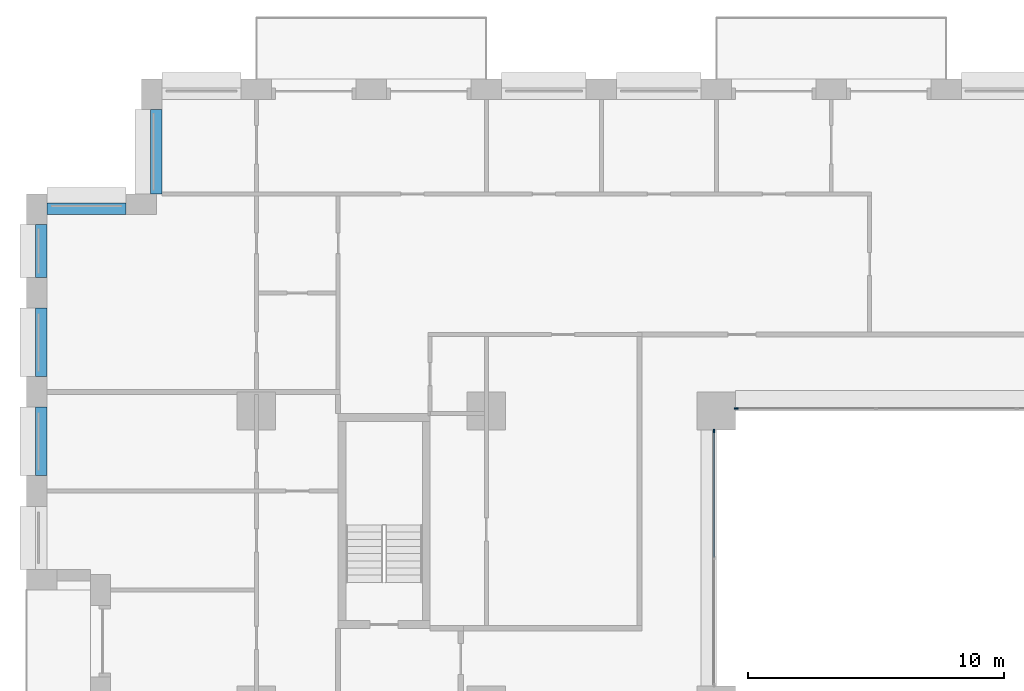
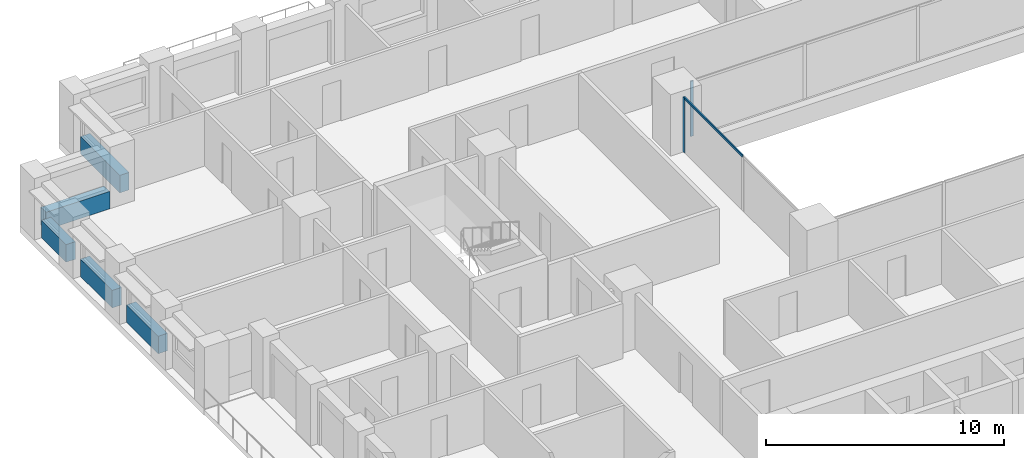
# One storey, part 5 of 20: 5 beams, 3 members, 2 elements without a shape of their own.
"""IFC4 building model written with IfcOpenShell, lengths in metres."""

from ifc_helpers import new_model, si_unit, direction, frame, origin, origin_2d, place, context, subcontext, project, spatial, rectangle, extrude, material, layer, layer_set, material_profile, profile_set, type_object, element, aggregate, save


model = new_model("IFC4")

# Units and contexts
model_context = context("Model", 3, precision=1e-05, world=origin(), true_north=direction((0.0, 1.0)))
body_context = subcontext(model_context, "Body", "Model", "MODEL_VIEW")
ifc_project = project(units=[si_unit("LENGTHUNIT", "METRE"), si_unit("AREAUNIT", "SQUARE_METRE"), si_unit("VOLUMEUNIT", "CUBIC_METRE"), si_unit("PLANEANGLEUNIT", "RADIAN"), si_unit("MASSUNIT", "GRAM", prefix="KILO")], contexts=[model_context])

# Site, building, storey
site_placement = place(None, origin())
site = spatial("IfcSite", under=ifc_project, at=site_placement, CompositionType="ELEMENT")
building_placement = place(site_placement, origin())
building = spatial("IfcBuilding", under=site, at=building_placement, Name="Brigalow Station Residences", CompositionType="ELEMENT")
storey_placement = place(building_placement, frame((0.0, 0.0, 44.699951171875)))
storey = spatial("IfcBuildingStorey", under=building, at=storey_placement, Name="L12", CompositionType="ELEMENT", Elevation=44.699951171875)

# Curtain wall, member
ifc_material_1 = material(Name="Aluminium", Category="aluminium")
ifc_layer = layer(ifc_material_1, 0.14990234375)
ifc_layer_set = layer_set([ifc_layer], Name="ATRIUM FIRE-RATED GLAZING CURTAIN WALL")
curtain_wall_type = type_object("IfcCurtainWallType", Name="ATRIUM FIRE-RATED GLAZING CURTAIN WALL", PredefinedType="NOTDEFINED", material=ifc_layer_set)
curtain_wall_1_placement = place(storey_placement, origin())
curtain_wall_1 = element("IfcCurtainWall", 1, at=curtain_wall_1_placement, inside=storey, type_object=curtain_wall_type, Name="L12/cw/atrium-N", PredefinedType="NOTDEFINED")
ifc_material_2 = material(Name="Aluminium", Category="aluminium")
ifc_material_profile_1 = material_profile(ifc_material_2, rectangle(XDim=0.06005859375, YDim=0.14990234375, at=origin_2d()), Name="ATRIUM FIRE-RATED GLAZING MULLION 60x150")
ifc_profile_set_1 = profile_set([ifc_material_profile_1], Name="Aluminium")
member_type_1 = type_object("IfcMemberType", Name="ATRIUM FIRE-RATED GLAZING MULLION 60x150", PredefinedType="MULLION", material=ifc_profile_set_1)
member_1_placement = place(storey_placement, frame((27.780029296875, 35.60009765625, 0.0), z_axis=(0.0, 0.0, 1.0), x_axis=(0.0, -1.0, 0.0)))
member_1 = element("IfcMember", 2, at=member_1_placement, type_object=member_type_1, Name="L12/cw/atrium-N/M03", PredefinedType="MULLION", context=body_context, shape_type="SweptSolid", body=[
    extrude(rectangle(XDim=0.06005859375, YDim=0.14990234375, at=origin_2d()), origin(), (0.0, 0.0, 1.0), 2.830078125),
])
aggregate(curtain_wall_1, [member_1])

# Curtain wall, members
curtain_wall_2_placement = place(storey_placement, origin())
curtain_wall_2 = element("IfcCurtainWall", 3, at=curtain_wall_2_placement, inside=storey, type_object=curtain_wall_type, Name="L12/cw/atrium-W", PredefinedType="NOTDEFINED")
member_2_placement = place(storey_placement, frame((26.89990234375, 34.719970703125, 0.0), z_axis=(0.0, 0.0, 1.0), x_axis=(1.0, 0.0, 0.0)))
member_2 = element("IfcMember", 4, at=member_2_placement, type_object=member_type_1, Name="L12/cw/atrium-W/M00", PredefinedType="MULLION", context=body_context, shape_type="SweptSolid", body=[
    extrude(rectangle(XDim=0.06005859375, YDim=0.14990234375, at=origin_2d()), origin(), (0.0, 0.0, 1.0), 2.830078125),
])
ifc_material_3 = material(Name="Aluminium", Category="aluminium")
ifc_material_profile_2 = material_profile(ifc_material_3, rectangle(XDim=0.06005859375, YDim=0.1201171875, at=origin_2d()), Name="ATRIUM FIRE-RATED GLAZING TRANSOM 60x120")
ifc_profile_set_2 = profile_set([ifc_material_profile_2], Name="Aluminium")
member_type_2 = type_object("IfcMemberType", Name="ATRIUM FIRE-RATED GLAZING TRANSOM 60x120", PredefinedType="USERDEFINED", material=ifc_profile_set_2)
member_3_placement = place(storey_placement, frame((26.89990234375, 34.68994140625, 2.800048828125), z_axis=(0.0, -1.0, 0.0), x_axis=(1.0, 0.0, 0.0)))
member_3 = element("IfcMember", 5, at=member_3_placement, type_object=member_type_2, Name="L12/cw/atrium-W/T00-00", ObjectType="TRANSOM", PredefinedType="USERDEFINED", context=body_context, shape_type="SweptSolid", body=[
    extrude(rectangle(XDim=0.06005859375, YDim=0.1201171875, at=origin_2d()), origin(), (0.0, 0.0, 1.0), 4.909912109375),
])
aggregate(curtain_wall_2, [member_2, member_3])

# Beams
ifc_material_4 = material(Name="Concrete C65", Category="concrete")
ifc_material_profile_3 = material_profile(ifc_material_4, rectangle(XDim=0.449951171875, YDim=0.89990234375, at=origin_2d()), Name="RC450x900")
ifc_profile_set_3 = profile_set([ifc_material_profile_3], Name="Concrete C65")
beam_type = type_object("IfcBeamType", Name="SPANDREL BEAM 450x900 C65", PredefinedType="SPANDREL", material=ifc_profile_set_3)
beam_1_placement = place(storey_placement, frame((5.074951171875, 47.300048828125, 0.449951171875), z_axis=(0.0, -1.0, 0.0), x_axis=(1.0, 0.0, 0.0)))
element("IfcBeam", 6, at=beam_1_placement, inside=storey, type_object=beam_type, Name="L12/spandrel/W-L12-40", PredefinedType="SPANDREL", context=body_context, shape_type="SweptSolid", body=[
    extrude(rectangle(XDim=0.449951171875, YDim=0.89990234375, at=origin_2d()), origin(), (0.0, 0.0, 1.0), 3.300048828125),
])
beam_2_placement = place(storey_placement, frame((3.89990234375, 43.425048828125, 0.449951171875), z_axis=(-1.0, 0.0, 0.0), x_axis=(0.0, -1.0, 0.0)))
element("IfcBeam", 7, at=beam_2_placement, inside=storey, type_object=beam_type, Name="L12/spandrel/W-L12-41", PredefinedType="SPANDREL", context=body_context, shape_type="SweptSolid", body=[
    extrude(rectangle(XDim=0.449951171875, YDim=0.89990234375, at=origin_2d()), origin(), (0.0, 0.0, 1.0), 3.099853515625),
])
beam_3_placement = place(storey_placement, frame((0.574951171875, 42.800048828125, 0.449951171875), z_axis=(0.0, -1.0, 0.0), x_axis=(1.0, 0.0, 0.0)))
element("IfcBeam", 8, at=beam_3_placement, inside=storey, type_object=beam_type, Name="L12/spandrel/W-L12-42", PredefinedType="SPANDREL", context=body_context, shape_type="SweptSolid", body=[
    extrude(rectangle(XDim=0.449951171875, YDim=0.89990234375, at=origin_2d()), origin(), (0.0, 0.0, 1.0), 2.074951171875),
])
for number, where, z_axis, x_axis, name in (
    (9, (0.574951171875, 39.52490234375, 0.449951171875), (0.0, -1.0, 0.0), (1.0, 0.0, 0.0), "L12/spandrel/W-L12-43"),
    (10, (0.574951171875, 35.64990234375, 0.449951171875), (0.0, -1.0, 0.0), (1.0, 0.0, 0.0), "L12/spandrel/W-L12-44"),
):
    element("IfcBeam", number, at=place(storey_placement, frame(where, z_axis=z_axis, x_axis=x_axis)), inside=storey, type_object=beam_type, Name=name, PredefinedType="SPANDREL", context=body_context, shape_type="SweptSolid", body=[
        extrude(rectangle(XDim=0.449951171875, YDim=0.89990234375, at=origin_2d()), origin(), (0.0, 0.0, 1.0), 2.6748046875),
    ])

save(model, "model.ifc")
